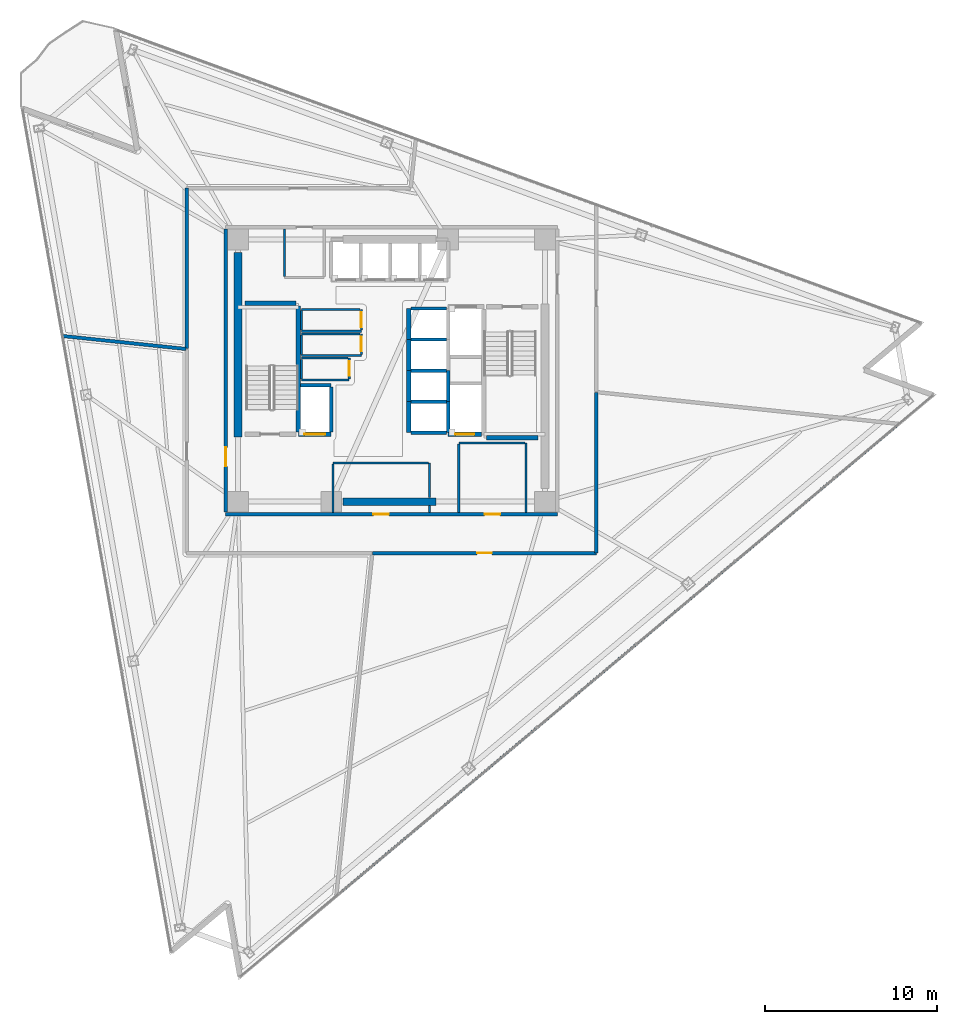
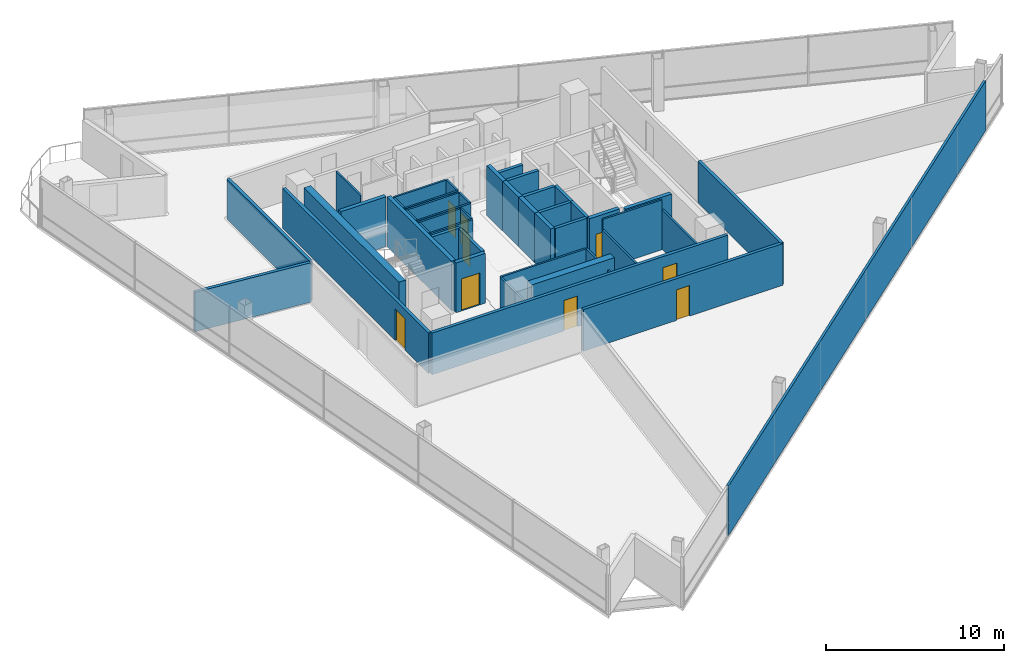
# One storey, part 10 of 17: 47 walls, 9 doors, 9 openings.
"""IFC4 building model written with IfcOpenShell, lengths in metres."""

from ifc_helpers import new_model, si_unit, direction, frame, frame_2d, origin, place, context, subcontext, project, spatial, rectangle, extrude, material, layer, layer_set, type_object, element, fill, save


model = new_model("IFC4")

# Units and contexts
model_context = context("Model", 3, precision=1e-05, world=origin(), true_north=direction((0.0, 1.0)))
body_context = subcontext(model_context, "Body", "Model", "MODEL_VIEW")
ifc_project = project(units=[si_unit("LENGTHUNIT", "METRE"), si_unit("AREAUNIT", "SQUARE_METRE"), si_unit("VOLUMEUNIT", "CUBIC_METRE"), si_unit("PLANEANGLEUNIT", "RADIAN"), si_unit("MASSUNIT", "GRAM", prefix="KILO")], contexts=[model_context])

# Site, building, storey
site_placement = place(None, origin())
site = spatial("IfcSite", under=ifc_project, at=site_placement, CompositionType="ELEMENT")
building_placement = place(site_placement, origin())
building = spatial("IfcBuilding", under=site, at=building_placement, Name="Tharavind Bronze Gate", CompositionType="ELEMENT")
storey_placement = place(building_placement, frame((0.0, 0.0, 184.89990234375)))
storey = spatial("IfcBuildingStorey", under=building, at=storey_placement, Name="L47", CompositionType="ELEMENT", Elevation=184.89990234375)

# Wall, openings, doors
ifc_material_1 = material(Name="Aerated Concrete Block", Category="concrete")
ifc_layer_1 = layer(ifc_material_1, 0.199951171875)
ifc_layer_set_1 = layer_set([ifc_layer_1], Name="Aerated Concrete Block")
wall_type_1 = type_object("IfcWallType", Name="FIRE RATED PARTITION 200", PredefinedType="PARTITIONING", material=ifc_layer_set_1)
wall_1_placement = place(storey_placement, frame((-9.6201171875, -8.320068359375, 0.0), z_axis=(0.0, 0.0, 1.0), x_axis=(1.0, 0.0, 0.0)))
wall_1 = element("IfcWall", 1, at=wall_1_placement, inside=storey, type_object=wall_type_1, Name="L47 south core corridor wall", PredefinedType="PARTITIONING", context=body_context, shape_type="SweptSolid", body=[
    extrude(rectangle(XDim=19.240234375, YDim=0.199951171875, at=frame_2d((9.6201171875, 0.0))), origin(), (0.0, 0.0, 1.0), 2.864990234375),
])
opening_1_placement = place(wall_1_placement, frame((8.570068359375, 0.0, 0.0)))
opening_1 = element("IfcOpeningElement", 2, at=opening_1_placement, cuts=wall_1, Name="Opening ID07", PredefinedType="OPENING", context=body_context, shape_type="SweptSolid", body=[
    extrude(rectangle(XDim=0.89990234375, YDim=2.10009765625, at=frame_2d((0.449951171875, 1.050048828125))), frame((0.0, 0.11009765625, 0.0), z_axis=(0.0, -1.0, 0.0), x_axis=(1.0, 0.0, 0.0)), (0.0, 0.0, 1.0), 0.219951171875),
])
opening_2_placement = place(wall_1_placement, frame((15.02001953125, 0.0, 0.0)))
opening_2 = element("IfcOpeningElement", 3, at=opening_2_placement, cuts=wall_1, Name="Opening ID07", PredefinedType="OPENING", context=body_context, shape_type="SweptSolid", body=[
    extrude(rectangle(XDim=0.89990234375, YDim=2.10009765625, at=frame_2d((0.449951171875, 1.050048828125))), frame((0.0, 0.11009765625, 0.0), z_axis=(0.0, -1.0, 0.0), x_axis=(1.0, 0.0, 0.0)), (0.0, 0.0, 1.0), 0.219951171875),
])
ifc_material_2 = material(Name="Galvanised Fire Steel", Category="steel")
door_type_1 = type_object("IfcDoorType", Name="PLANT AND RISER FIRE DOOR 900X2100", OperationType="SINGLE_SWING_LEFT", PredefinedType="DOOR", material=ifc_material_2)
door_1_placement = place(opening_1_placement, origin())
door_1 = element("IfcDoor", 4, at=door_1_placement, inside=storey, type_object=door_type_1, Name="L47 Core BMS Control Room fire door", OperationType="SINGLE_SWING_LEFT", OverallHeight=2.10009765625, OverallWidth=0.89990234375, PredefinedType="DOOR", context=body_context, shape_type="SweptSolid", body=[
    extrude(rectangle(XDim=0.89990234375, YDim=2.10009765625, at=frame_2d((0.449951171875, 1.050048828125))), frame((0.0, 0.02490234375, 0.0), z_axis=(0.0, -1.0, 0.0), x_axis=(1.0, 0.0, 0.0)), (0.0, 0.0, 1.0), 0.050048828125),
])
fill(opening_1, door_1)
door_2_placement = place(opening_2_placement, origin())
door_2 = element("IfcDoor", 5, at=door_2_placement, inside=storey, type_object=door_type_1, Name="L47 Telecom Metering Room fire door", OperationType="SINGLE_SWING_LEFT", OverallHeight=2.10009765625, OverallWidth=0.89990234375, PredefinedType="DOOR", context=body_context, shape_type="SweptSolid", body=[
    extrude(rectangle(XDim=0.89990234375, YDim=2.10009765625, at=frame_2d((0.449951171875, 1.050048828125))), frame((0.0, 0.02490234375, 0.0), z_axis=(0.0, -1.0, 0.0), x_axis=(1.0, 0.0, 0.0)), (0.0, 0.0, 1.0), 0.050048828125),
])
fill(opening_2, door_2)

# Wall, opening, door
wall_2_placement = place(storey_placement, frame((-9.6201171875, 8.199951171875, 0.0), z_axis=(0.0, 0.0, 1.0), x_axis=(0.0, -1.0, 0.0)))
wall_2 = element("IfcWall", 6, at=wall_2_placement, inside=storey, type_object=wall_type_1, Name="L47 west core corridor wall", PredefinedType="PARTITIONING", context=body_context, shape_type="SweptSolid", body=[
    extrude(rectangle(XDim=16.39990234375, YDim=0.199951171875, at=frame_2d((8.199951171875, 0.0))), origin(), (0.0, 0.0, 1.0), 2.76513671875),
])
opening_3_placement = place(wall_2_placement, frame((12.64990234375, 0.0, 0.0)))
opening_3 = element("IfcOpeningElement", 7, at=opening_3_placement, cuts=wall_2, Name="Opening ID01", PredefinedType="OPENING", context=body_context, shape_type="SweptSolid", body=[
    extrude(rectangle(XDim=1.10009765625, YDim=2.14990234375, at=frame_2d((0.550048828125, 1.074951171875))), frame((0.0, 0.11009765625, 0.0), z_axis=(0.0, -1.0, 0.0), x_axis=(1.0, 0.0, 0.0)), (0.0, 0.0, 1.0), 0.219951171875),
])
ifc_material_3 = material(Name="Fire-Rated Steel", Category="steel")
door_type_2 = type_object("IfcDoorType", Name="STAIR CORE FIRE DOOR 1100X2150", OperationType="SINGLE_SWING_LEFT", PredefinedType="DOOR", material=ifc_material_3)
door_3_placement = place(opening_3_placement, frame((1.10009765625, 0.0, 0.0), z_axis=(0.0, 0.0, 1.0), x_axis=(-1.0, 0.0, 0.0)))
door_3 = element("IfcDoor", 8, at=door_3_placement, inside=storey, type_object=door_type_2, Name="L47 south west stair lobby fire door", OperationType="SINGLE_SWING_LEFT", OverallHeight=2.14990234375, OverallWidth=1.10009765625, PredefinedType="DOOR", context=body_context, shape_type="SweptSolid", body=[
    extrude(rectangle(XDim=1.10009765625, YDim=2.14990234375, at=frame_2d((0.550048828125, 1.074951171875))), frame((0.0, 0.02490234375, 0.0), z_axis=(0.0, -1.0, 0.0), x_axis=(1.0, 0.0, 0.0)), (0.0, 0.0, 1.0), 0.050048828125),
])
fill(opening_3, door_3)

wall_3_placement = place(storey_placement, frame((-1.089599609375, -10.580078125, 0.0), z_axis=(0.0, 0.0, 1.0), x_axis=(1.0, 0.0, 0.0)))
wall_3 = element("IfcWall", 9, at=wall_3_placement, inside=storey, type_object=wall_type_1, Name="L47 Public Restrooms Block partition", PredefinedType="PARTITIONING", context=body_context, shape_type="SweptSolid", body=[
    extrude(rectangle(XDim=12.968994140625, YDim=0.199951171875, at=frame_2d((6.484375, 0.0))), origin(), (0.0, 0.0, 1.0), 2.864990234375),
])
opening_4_placement = place(wall_3_placement, frame((6.05908203125, 0.0, 0.0)))
opening_4 = element("IfcOpeningElement", 10, at=opening_4_placement, cuts=wall_3, Name="Opening ID06", PredefinedType="OPENING", context=body_context, shape_type="SweptSolid", body=[
    extrude(rectangle(XDim=0.85009765625, YDim=2.10009765625, at=frame_2d((0.425048828125, 1.050048828125))), frame((0.0, 0.11009765625, 0.0), z_axis=(0.0, -1.0, 0.0), x_axis=(1.0, 0.0, 0.0)), (0.0, 0.0, 1.0), 0.219951171875),
])
ifc_material_4 = material(Name="Moisture-Resistant Timber", Category="wood")
door_type_3 = type_object("IfcDoorType", Name="BATHROOM PRIVACY DOOR 850X2100", OperationType="SINGLE_SWING_RIGHT", PredefinedType="DOOR", material=ifc_material_4)
door_4_placement = place(opening_4_placement, origin())
door_4 = element("IfcDoor", 11, at=door_4_placement, inside=storey, type_object=door_type_3, Name="L47 Public Restrooms Block door", OperationType="SINGLE_SWING_RIGHT", OverallHeight=2.10009765625, OverallWidth=0.85009765625, PredefinedType="DOOR", context=body_context, shape_type="SweptSolid", body=[
    extrude(rectangle(XDim=0.85009765625, YDim=2.10009765625, at=frame_2d((0.425048828125, 1.050048828125))), frame((0.0, 0.02490234375, 0.0), z_axis=(0.0, -1.0, 0.0), x_axis=(1.0, 0.0, 0.0)), (0.0, 0.0, 1.0), 0.050048828125),
])
fill(opening_4, door_4)

# Walls
wall_4_placement = place(storey_placement, frame((11.8798828125, -10.579345703125, 0.0), z_axis=(0.0, 0.0, 1.0), x_axis=(0.0, 1.0, 0.0)))
element("IfcWall", 12, at=wall_4_placement, inside=storey, type_object=wall_type_1, Name="L47 Public Restrooms Block partition", PredefinedType="PARTITIONING", context=body_context, shape_type="SweptSolid", body=[
    extrude(rectangle(XDim=9.302978515625, YDim=0.199951171875, at=frame_2d((4.6513671875, 0.0))), origin(), (0.0, 0.0, 1.0), 2.864990234375),
])
wall_5_placement = place(storey_placement, frame((-11.8798828125, 10.579345703125, 0.0), z_axis=(0.0, 0.0, 1.0), x_axis=(0.0, -1.0, 0.0)))
element("IfcWall", 13, at=wall_5_placement, inside=storey, type_object=wall_type_1, Name="L47 Broadcast Editorial Studio partition", PredefinedType="PARTITIONING", context=body_context, shape_type="SweptSolid", body=[
    extrude(rectangle(XDim=9.302978515625, YDim=0.199951171875, at=frame_2d((4.6513671875, 0.0))), origin(), (0.0, 0.0, 1.0), 2.76513671875),
])
wall_6_placement = place(storey_placement, frame((-11.90771484375, 1.25146484375, 0.0), z_axis=(0.0, 0.0, 1.0), x_axis=(-0.994521455336, 0.104532649807, 0.0)))
element("IfcWall", 14, at=wall_6_placement, inside=storey, type_object=wall_type_1, Name="L47 Broadcast Editorial Studio partition", PredefinedType="PARTITIONING", context=body_context, shape_type="SweptSolid", body=[
    extrude(rectangle(XDim=7.18408203125, YDim=0.199951171875, at=frame_2d((3.592041015625, 0.0))), origin(), (0.0, 0.0, 1.0), 2.715087890625),
])
ifc_material_5 = material(Name="Metal Stud Gypsum Partition", Category="gypsum")
ifc_layer_2 = layer(ifc_material_5, 0.1201171875)
ifc_layer_set_2 = layer_set([ifc_layer_2], Name="Metal Stud Gypsum Partition")
wall_type_2 = type_object("IfcWallType", Name="INTERIOR PARTITION WALL 120", PredefinedType="PARTITIONING", material=ifc_layer_set_2)
wall_7_placement = place(storey_placement, frame((-5.219970703125, 2.280029296875, 0.0), z_axis=(0.0, 0.0, 1.0), x_axis=(1.0, 0.0, 0.0)))
element("IfcWall", 15, at=wall_7_placement, inside=storey, type_object=wall_type_2, Name="L47 Housekeeping Linen Store partition 1", PredefinedType="PARTITIONING", context=body_context, shape_type="SweptSolid", body=[
    extrude(rectangle(XDim=3.469970703125, YDim=0.1201171875, at=frame_2d((1.73486328125, 0.0))), origin(), (0.0, 0.0, 1.0), 3.420166015625),
])

# Wall, opening, door
wall_8_placement = place(storey_placement, frame((-1.75, 2.344970703125, 0.0), z_axis=(0.0, 0.0, 1.0), x_axis=(0.0, 1.0, 0.0)))
wall_8 = element("IfcWall", 16, at=wall_8_placement, inside=storey, type_object=wall_type_2, Name="L47 Housekeeping Linen Store partition 2", PredefinedType="PARTITIONING", context=body_context, shape_type="SweptSolid", body=[
    extrude(rectangle(XDim=1.205078125, YDim=0.1201171875, at=frame_2d((0.6025390625, 0.0))), origin(), (0.0, 0.0, 1.0), 3.420166015625),
])
opening_5_placement = place(wall_8_placement, frame((0.177001953125, 0.0, 0.0)))
opening_5 = element("IfcOpeningElement", 17, at=opening_5_placement, cuts=wall_8, Name="Opening ID06", PredefinedType="OPENING", context=body_context, shape_type="SweptSolid", body=[
    extrude(rectangle(XDim=0.85009765625, YDim=2.10009765625, at=frame_2d((0.425048828125, 1.050048828125))), frame((0.0, 0.07005859375, 0.0), z_axis=(0.0, -1.0, 0.0), x_axis=(1.0, 0.0, 0.0)), (0.0, 0.0, 1.0), 0.1401171875),
])
door_5_placement = place(opening_5_placement, frame((0.85009765625, 0.0, 0.0), z_axis=(0.0, 0.0, 1.0), x_axis=(-1.0, 0.0, 0.0)))
door_5 = element("IfcDoor", 18, at=door_5_placement, inside=storey, type_object=door_type_3, Name="L47 Housekeeping Linen Store door", OperationType="SINGLE_SWING_RIGHT", OverallHeight=2.10009765625, OverallWidth=0.85009765625, PredefinedType="DOOR", context=body_context, shape_type="SweptSolid", body=[
    extrude(rectangle(XDim=0.85009765625, YDim=2.10009765625, at=frame_2d((0.425048828125, 1.050048828125))), frame((0.0, 0.02490234375, 0.0), z_axis=(0.0, -1.0, 0.0), x_axis=(1.0, 0.0, 0.0)), (0.0, 0.0, 1.0), 0.050048828125),
])
fill(opening_5, door_5)

# Walls
wall_9_placement = place(storey_placement, frame((-1.81494140625, 3.550048828125, 0.0), z_axis=(0.0, 0.0, 1.0), x_axis=(-1.0, 0.0, 0.0)))
element("IfcWall", 19, at=wall_9_placement, inside=storey, type_object=wall_type_2, Name="L47 Housekeeping Linen Store partition 3", PredefinedType="PARTITIONING", context=body_context, shape_type="SweptSolid", body=[
    extrude(rectangle(XDim=3.405029296875, YDim=0.1201171875, at=frame_2d((1.70263671875, 0.0))), origin(), (0.0, 0.0, 1.0), 3.420166015625),
])
wall_10_placement = place(storey_placement, frame((-5.219970703125, 3.485107421875, 0.0), z_axis=(0.0, 0.0, 1.0), x_axis=(0.0, -1.0, 0.0)))
element("IfcWall", 20, at=wall_10_placement, inside=storey, type_object=wall_type_2, Name="L47 Housekeeping Linen Store partition 4", PredefinedType="PARTITIONING", context=body_context, shape_type="SweptSolid", body=[
    extrude(rectangle(XDim=1.14013671875, YDim=0.1201171875, at=frame_2d((0.570068359375, 0.0))), origin(), (0.0, 0.0, 1.0), 3.420166015625),
])
wall_11_placement = place(storey_placement, frame((-5.219970703125, 0.8798828125, 0.0), z_axis=(0.0, 0.0, 1.0), x_axis=(1.0, 0.0, 0.0)))
element("IfcWall", 21, at=wall_11_placement, inside=storey, type_object=wall_type_2, Name="L47 Comms Data Room partition 1", PredefinedType="PARTITIONING", context=body_context, shape_type="SweptSolid", body=[
    extrude(rectangle(XDim=3.469970703125, YDim=0.1201171875, at=frame_2d((1.73486328125, 0.0))), origin(), (0.0, 0.0, 1.0), 3.420166015625),
])

# Wall, opening, door
wall_12_placement = place(storey_placement, frame((-1.75, 0.945068359375, 0.0), z_axis=(0.0, 0.0, 1.0), x_axis=(0.0, 1.0, 0.0)))
wall_12 = element("IfcWall", 22, at=wall_12_placement, inside=storey, type_object=wall_type_2, Name="L47 Comms Data Room partition 2", PredefinedType="PARTITIONING", context=body_context, shape_type="SweptSolid", body=[
    extrude(rectangle(XDim=1.175048828125, YDim=0.1201171875, at=frame_2d((0.58740234375, 0.0))), origin(), (0.0, 0.0, 1.0), 3.420166015625),
])
opening_6_placement = place(wall_12_placement, frame((0.1630859375, 0.0, 0.0)))
opening_6 = element("IfcOpeningElement", 23, at=opening_6_placement, cuts=wall_12, Name="Opening ID06", PredefinedType="OPENING", context=body_context, shape_type="SweptSolid", body=[
    extrude(rectangle(XDim=0.85009765625, YDim=2.10009765625, at=frame_2d((0.425048828125, 1.050048828125))), frame((0.0, 0.07005859375, 0.0), z_axis=(0.0, -1.0, 0.0), x_axis=(1.0, 0.0, 0.0)), (0.0, 0.0, 1.0), 0.1401171875),
])
door_6_placement = place(opening_6_placement, frame((0.85009765625, 0.0, 0.0), z_axis=(0.0, 0.0, 1.0), x_axis=(-1.0, 0.0, 0.0)))
door_6 = element("IfcDoor", 24, at=door_6_placement, inside=storey, type_object=door_type_3, Name="L47 Comms Data Room door", OperationType="SINGLE_SWING_RIGHT", OverallHeight=2.10009765625, OverallWidth=0.85009765625, PredefinedType="DOOR", context=body_context, shape_type="SweptSolid", body=[
    extrude(rectangle(XDim=0.85009765625, YDim=2.10009765625, at=frame_2d((0.425048828125, 1.050048828125))), frame((0.0, 0.02490234375, 0.0), z_axis=(0.0, -1.0, 0.0), x_axis=(1.0, 0.0, 0.0)), (0.0, 0.0, 1.0), 0.050048828125),
])
fill(opening_6, door_6)

# Walls
wall_13_placement = place(storey_placement, frame((-1.81494140625, 2.1201171875, 0.0), z_axis=(0.0, 0.0, 1.0), x_axis=(-1.0, 0.0, 0.0)))
element("IfcWall", 25, at=wall_13_placement, inside=storey, type_object=wall_type_2, Name="L47 Comms Data Room partition 3", PredefinedType="PARTITIONING", context=body_context, shape_type="SweptSolid", body=[
    extrude(rectangle(XDim=3.405029296875, YDim=0.1201171875, at=frame_2d((1.70263671875, 0.0))), origin(), (0.0, 0.0, 1.0), 3.420166015625),
])
wall_14_placement = place(storey_placement, frame((-5.219970703125, 2.054931640625, 0.0), z_axis=(0.0, 0.0, 1.0), x_axis=(0.0, -1.0, 0.0)))
element("IfcWall", 26, at=wall_14_placement, inside=storey, type_object=wall_type_2, Name="L47 Comms Data Room partition 4", PredefinedType="PARTITIONING", context=body_context, shape_type="SweptSolid", body=[
    extrude(rectangle(XDim=1.10986328125, YDim=0.1201171875, at=frame_2d((0.554931640625, 0.0))), origin(), (0.0, 0.0, 1.0), 3.420166015625),
])
wall_15_placement = place(storey_placement, frame((-5.219970703125, -0.550048828125, 0.0), z_axis=(0.0, 0.0, 1.0), x_axis=(1.0, 0.0, 0.0)))
element("IfcWall", 27, at=wall_15_placement, inside=storey, type_object=wall_type_2, Name="L47 Electrical Metering Store partition 1", PredefinedType="PARTITIONING", context=body_context, shape_type="SweptSolid", body=[
    extrude(rectangle(XDim=2.77001953125, YDim=0.1201171875, at=frame_2d((1.385009765625, 0.0))), origin(), (0.0, 0.0, 1.0), 3.420166015625),
])

# Wall, opening, door
wall_16_placement = place(storey_placement, frame((-2.449951171875, -0.485107421875, 0.0), z_axis=(0.0, 0.0, 1.0), x_axis=(0.0, 1.0, 0.0)))
wall_16 = element("IfcWall", 28, at=wall_16_placement, inside=storey, type_object=wall_type_2, Name="L47 Electrical Metering Store partition 2", PredefinedType="PARTITIONING", context=body_context, shape_type="SweptSolid", body=[
    extrude(rectangle(XDim=1.205078125, YDim=0.1201171875, at=frame_2d((0.6025390625, 0.0))), origin(), (0.0, 0.0, 1.0), 3.420166015625),
])
opening_7_placement = place(wall_16_placement, frame((0.177978515625, 0.0, 0.0)))
opening_7 = element("IfcOpeningElement", 29, at=opening_7_placement, cuts=wall_16, Name="Opening ID06", PredefinedType="OPENING", context=body_context, shape_type="SweptSolid", body=[
    extrude(rectangle(XDim=0.85009765625, YDim=2.10009765625, at=frame_2d((0.425048828125, 1.050048828125))), frame((0.0, 0.07005859375, 0.0), z_axis=(0.0, -1.0, 0.0), x_axis=(1.0, 0.0, 0.0)), (0.0, 0.0, 1.0), 0.1401171875),
])
door_7_placement = place(opening_7_placement, frame((0.85009765625, 0.0, 0.0), z_axis=(0.0, 0.0, 1.0), x_axis=(-1.0, 0.0, 0.0)))
door_7 = element("IfcDoor", 30, at=door_7_placement, inside=storey, type_object=door_type_3, Name="L47 Electrical Metering Store door", OperationType="SINGLE_SWING_RIGHT", OverallHeight=2.10009765625, OverallWidth=0.85009765625, PredefinedType="DOOR", context=body_context, shape_type="SweptSolid", body=[
    extrude(rectangle(XDim=0.85009765625, YDim=2.10009765625, at=frame_2d((0.425048828125, 1.050048828125))), frame((0.0, 0.02490234375, 0.0), z_axis=(0.0, -1.0, 0.0), x_axis=(1.0, 0.0, 0.0)), (0.0, 0.0, 1.0), 0.050048828125),
])
fill(opening_7, door_7)

# Walls
wall_17_placement = place(storey_placement, frame((-2.514892578125, 0.719970703125, 0.0), z_axis=(0.0, 0.0, 1.0), x_axis=(-1.0, 0.0, 0.0)))
element("IfcWall", 31, at=wall_17_placement, inside=storey, type_object=wall_type_2, Name="L47 Electrical Metering Store partition 3", PredefinedType="PARTITIONING", context=body_context, shape_type="SweptSolid", body=[
    extrude(rectangle(XDim=2.705078125, YDim=0.1201171875, at=frame_2d((1.3525390625, 0.0))), origin(), (0.0, 0.0, 1.0), 3.420166015625),
])
wall_18_placement = place(storey_placement, frame((-5.219970703125, 0.655029296875, 0.0), z_axis=(0.0, 0.0, 1.0), x_axis=(0.0, -1.0, 0.0)))
element("IfcWall", 32, at=wall_18_placement, inside=storey, type_object=wall_type_2, Name="L47 Electrical Metering Store partition 4", PredefinedType="PARTITIONING", context=body_context, shape_type="SweptSolid", body=[
    extrude(rectangle(XDim=1.14013671875, YDim=0.1201171875, at=frame_2d((0.570068359375, 0.0))), origin(), (0.0, 0.0, 1.0), 3.420166015625),
])
wall_19_placement = place(storey_placement, frame((2.199951171875, -8.215087890625, 0.0), z_axis=(0.0, 0.0, 1.0), x_axis=(0.0, 1.0, 0.0)))
element("IfcWall", 33, at=wall_19_placement, inside=storey, type_object=wall_type_2, Name="L47 Core BMS Control Room partition 2", PredefinedType="PARTITIONING", context=body_context, shape_type="SweptSolid", body=[
    extrude(rectangle(XDim=0.385009765625, YDim=0.1201171875, at=frame_2d((0.1923828125, 0.0))), origin(), (0.0, 0.0, 1.0), 2.715087890625),
])
wall_20_placement = place(storey_placement, frame((2.199951171875, -7.3701171875, 0.0), z_axis=(0.0, 0.0, 1.0), x_axis=(0.0, 1.0, 0.0)))
element("IfcWall", 34, at=wall_20_placement, inside=storey, type_object=wall_type_2, Name="L47 Core BMS Control Room partition 2", PredefinedType="PARTITIONING", context=body_context, shape_type="SweptSolid", body=[
    extrude(rectangle(XDim=2.02001953125, YDim=0.1201171875, at=frame_2d((1.010009765625, 0.0))), origin(), (0.0, 0.0, 1.0), 2.715087890625),
])
wall_21_placement = place(storey_placement, frame((2.135009765625, -5.35009765625, 0.0), z_axis=(0.0, 0.0, 1.0), x_axis=(-1.0, 0.0, 0.0)))
element("IfcWall", 35, at=wall_21_placement, inside=storey, type_object=wall_type_2, Name="L47 Core BMS Control Room partition 3", PredefinedType="PARTITIONING", context=body_context, shape_type="SweptSolid", body=[
    extrude(rectangle(XDim=5.534912109375, YDim=0.1201171875, at=frame_2d((2.767578125, 0.0))), origin(), (0.0, 0.0, 1.0), 2.715087890625),
])
wall_22_placement = place(storey_placement, frame((-3.39990234375, -5.4150390625, 0.0), z_axis=(0.0, 0.0, 1.0), x_axis=(0.0, -1.0, 0.0)))
element("IfcWall", 36, at=wall_22_placement, inside=storey, type_object=wall_type_2, Name="L47 Core BMS Control Room partition 4", PredefinedType="PARTITIONING", context=body_context, shape_type="SweptSolid", body=[
    extrude(rectangle(XDim=2.800048828125, YDim=0.1201171875, at=frame_2d((1.39990234375, 0.0))), origin(), (0.0, 0.0, 1.0), 2.715087890625),
])
wall_23_placement = place(storey_placement, frame((-6.199951171875, 8.215087890625, 0.0), z_axis=(0.0, 0.0, 1.0), x_axis=(0.0, -1.0, 0.0)))
element("IfcWall", 37, at=wall_23_placement, inside=storey, type_object=wall_type_2, Name="L47 Electrical Switch Cupboard partition 4", PredefinedType="PARTITIONING", context=body_context, shape_type="SweptSolid", body=[
    extrude(rectangle(XDim=2.75, YDim=0.1201171875, at=frame_2d((1.375, 0.0))), origin(), (0.0, 0.0, 1.0), 2.715087890625),
])
wall_24_placement = place(storey_placement, frame((7.800048828125, -8.215087890625, 0.0), z_axis=(0.0, 0.0, 1.0), x_axis=(0.0, 1.0, 0.0)))
element("IfcWall", 38, at=wall_24_placement, inside=storey, type_object=wall_type_2, Name="L47 Telecom Metering Room partition 2", PredefinedType="PARTITIONING", context=body_context, shape_type="SweptSolid", body=[
    extrude(rectangle(XDim=4.01513671875, YDim=0.1201171875, at=frame_2d((2.007568359375, 0.0))), origin(), (0.0, 0.0, 1.0), 2.715087890625),
])
wall_25_placement = place(storey_placement, frame((7.735107421875, -4.199951171875, 0.0), z_axis=(0.0, 0.0, 1.0), x_axis=(-1.0, 0.0, 0.0)))
element("IfcWall", 39, at=wall_25_placement, inside=storey, type_object=wall_type_2, Name="L47 Telecom Metering Room partition 3", PredefinedType="PARTITIONING", context=body_context, shape_type="SweptSolid", body=[
    extrude(rectangle(XDim=3.835205078125, YDim=0.1201171875, at=frame_2d((1.91748046875, 0.0))), origin(), (0.0, 0.0, 1.0), 3.420166015625),
])
wall_26_placement = place(storey_placement, frame((3.89990234375, -4.264892578125, 0.0), z_axis=(0.0, 0.0, 1.0), x_axis=(0.0, -1.0, 0.0)))
element("IfcWall", 40, at=wall_26_placement, inside=storey, type_object=wall_type_2, Name="L47 Telecom Metering Room partition 4", PredefinedType="PARTITIONING", context=body_context, shape_type="SweptSolid", body=[
    extrude(rectangle(XDim=3.9501953125, YDim=0.1201171875, at=frame_2d((1.97509765625, 0.0))), origin(), (0.0, 0.0, 1.0), 2.715087890625),
])
ifc_material_6 = material(Name="Twin Stud Acoustic Gypsum", Category="gypsum")
ifc_layer_3 = layer(ifc_material_6, 0.14990234375)
ifc_layer_set_3 = layer_set([ifc_layer_3], Name="Twin Stud Acoustic Gypsum")
wall_type_3 = type_object("IfcWallType", Name="INTERIOR PARTITION WALL 150", PredefinedType="PARTITIONING", material=ifc_layer_set_3)
wall_27_placement = place(storey_placement, frame((29.304443359375, -3.185546875, 0.0), z_axis=(0.0, 0.0, 1.0), x_axis=(-0.766042132119, -0.642790363819, 0.0)))
element("IfcWall", 41, at=wall_27_placement, inside=storey, type_object=wall_type_3, Name="L47 Public Restrooms Block partition", PredefinedType="PARTITIONING", context=body_context, shape_type="SweptSolid", body=[
    extrude(rectangle(XDim=42.28271484375, YDim=0.14990234375, at=frame_2d((21.141357421875, 0.0))), origin(), (0.0, 0.0, 1.0), 3.420166015625),
])
ifc_material_7 = material(Name="Concrete C50/60", Category="concrete")
ifc_layer_4 = layer(ifc_material_7, 0.25)
ifc_layer_set_4 = layer_set([ifc_layer_4], Name="Concrete C50/60")
wall_type_4 = type_object("IfcWallType", Name="RC CORE SHEAR WALL 250", PredefinedType="SHEAR", material=ifc_layer_set_4)
wall_28_placement = place(storey_placement, frame((-5.39990234375, -3.550048828125, 0.0), z_axis=(0.0, 0.0, 1.0), x_axis=(0.0, 1.0, 0.0)))
element("IfcWall", 42, at=wall_28_placement, inside=storey, type_object=wall_type_4, Name="L47 ST1 shaft east wall", PredefinedType="SHEAR", context=body_context, shape_type="SweptSolid", body=[
    extrude(rectangle(XDim=7.300048828125, YDim=0.25, at=frame_2d((3.64990234375, 0.0))), origin(), (0.0, 0.0, 1.0), 3.420166015625),
])
wall_29_placement = place(storey_placement, frame((-8.5, 3.89990234375, 0.0), z_axis=(0.0, 0.0, 1.0), x_axis=(1.0, 0.0, 0.0)))
element("IfcWall", 43, at=wall_29_placement, inside=storey, type_object=wall_type_4, Name="L47 ST1 shaft north wall", PredefinedType="SHEAR", context=body_context, shape_type="SweptSolid", body=[
    extrude(rectangle(XDim=2.949951171875, YDim=0.25, at=frame_2d((1.47509765625, 0.0))), origin(), (0.0, 0.0, 1.0), 3.420166015625),
])
wall_30_placement = place(storey_placement, frame((5.5, -3.89990234375, 0.0), z_axis=(0.0, 0.0, 1.0), x_axis=(1.0, 0.0, 0.0)))
element("IfcWall", 44, at=wall_30_placement, inside=storey, type_object=wall_type_4, Name="L47 ST2 shaft south wall", PredefinedType="SHEAR", context=body_context, shape_type="SweptSolid", body=[
    extrude(rectangle(XDim=3.0, YDim=0.25, at=frame_2d((1.5, 0.0))), origin(), (0.0, 0.0, 1.0), 3.420166015625),
])
for number, where, z_axis, x_axis, name in (
    (45, (1.0, -3.60009765625, 0.0), (0.0, 0.0, 1.0), (0.0, 1.0, 0.0), "L47 lift PL9 shaft front wall"),
    (46, (1.0, -1.800048828125, 0.0), (0.0, 0.0, 1.0), (0.0, 1.0, 0.0), "L47 lift PL10 shaft front wall"),
    (47, (1.0, 0.0, 0.0), (0.0, 0.0, 1.0), (0.0, 1.0, 0.0), "L47 lift PL11 shaft front wall"),
    (48, (1.0, 1.800048828125, 0.0), (0.0, 0.0, 1.0), (0.0, 1.0, 0.0), "L47 lift PL12 shaft front wall"),
):
    element("IfcWall", number, at=place(storey_placement, frame(where, z_axis=z_axis, x_axis=x_axis)), inside=storey, type_object=wall_type_4, Name=name, PredefinedType="SHEAR", context=body_context, shape_type="SweptSolid", body=[
        extrude(rectangle(XDim=1.800048828125, YDim=0.25, at=frame_2d((0.89990234375, 0.0))), origin(), (0.0, 0.0, 1.0), 3.420166015625),
    ])

# Wall, opening, door
wall_31_placement = place(storey_placement, frame((-5.39990234375, -3.699951171875, 0.0), z_axis=(0.0, 0.0, 1.0), x_axis=(1.0, 0.0, 0.0)))
wall_31 = element("IfcWall", 49, at=wall_31_placement, inside=storey, type_object=wall_type_4, Name="L47 lift FFL1 shaft front wall", PredefinedType="SHEAR", context=body_context, shape_type="SweptSolid", body=[
    extrude(rectangle(XDim=1.89990234375, YDim=0.25, at=frame_2d((0.949951171875, 0.0))), origin(), (0.0, 0.0, 1.0), 3.420166015625),
])
opening_8_placement = place(wall_31_placement, frame((0.35009765625, 0.0, 0.0)))
opening_8 = element("IfcOpeningElement", 50, at=opening_8_placement, cuts=wall_31, Name="Opening LD02", PredefinedType="OPENING", context=body_context, shape_type="SweptSolid", body=[
    extrude(rectangle(XDim=1.199951171875, YDim=2.199951171875, at=frame_2d((0.60009765625, 1.10009765625))), frame((0.0, 0.135, 0.0), z_axis=(0.0, -1.0, 0.0), x_axis=(1.0, 0.0, 0.0)), (0.0, 0.0, 1.0), 0.27),
])
ifc_material_8 = material(Name="Brushed Stainless Steel", Category="steel")
door_type_4 = type_object("IfcDoorType", Name="FIREFIGHTING LIFT LANDING DOOR 1200X2200", OperationType="SLIDING_TO_RIGHT", PredefinedType="DOOR", material=ifc_material_8)
door_8_placement = place(opening_8_placement, origin())
door_8 = element("IfcDoor", 51, at=door_8_placement, inside=storey, type_object=door_type_4, Name="L47 lift FFL1 sliding landing door", OperationType="SLIDING_TO_RIGHT", OverallHeight=2.199951171875, OverallWidth=1.199951171875, PredefinedType="DOOR", context=body_context, shape_type="SweptSolid", body=[
    extrude(rectangle(XDim=1.199951171875, YDim=2.199951171875, at=frame_2d((0.60009765625, 1.10009765625))), frame((0.0, 0.02490234375, 0.0), z_axis=(0.0, -1.0, 0.0), x_axis=(1.0, 0.0, 0.0)), (0.0, 0.0, 1.0), 0.050048828125),
])
fill(opening_8, door_8)

wall_32_placement = place(storey_placement, frame((3.280029296875, -3.699951171875, 0.0), z_axis=(0.0, 0.0, 1.0), x_axis=(1.0, 0.0, 0.0)))
wall_32 = element("IfcWall", 52, at=wall_32_placement, inside=storey, type_object=wall_type_4, Name="L47 lift SVL1 shaft front wall", PredefinedType="SHEAR", context=body_context, shape_type="SweptSolid", body=[
    extrude(rectangle(XDim=1.93994140625, YDim=0.25, at=frame_2d((0.969970703125, 0.0))), origin(), (0.0, 0.0, 1.0), 3.420166015625),
])
opening_9_placement = place(wall_32_placement, frame((0.419921875, 0.0, 0.0)))
opening_9 = element("IfcOpeningElement", 53, at=opening_9_placement, cuts=wall_32, Name="Opening LD01", PredefinedType="OPENING", context=body_context, shape_type="SweptSolid", body=[
    extrude(rectangle(XDim=1.10009765625, YDim=2.199951171875, at=frame_2d((0.550048828125, 1.10009765625))), frame((0.0, 0.135, 0.0), z_axis=(0.0, -1.0, 0.0), x_axis=(1.0, 0.0, 0.0)), (0.0, 0.0, 1.0), 0.27),
])
ifc_material_9 = material(Name="Brushed Bronze Stainless Steel", Category="steel")
door_type_5 = type_object("IfcDoorType", Name="LIFT LANDING SLIDING DOOR 1100X2200", OperationType="SLIDING_TO_LEFT", PredefinedType="DOOR", material=ifc_material_9)
door_9_placement = place(opening_9_placement, origin())
door_9 = element("IfcDoor", 54, at=door_9_placement, inside=storey, type_object=door_type_5, Name="L47 lift SVL1 sliding landing door", OperationType="SLIDING_TO_LEFT", OverallHeight=2.199951171875, OverallWidth=1.10009765625, PredefinedType="DOOR", context=body_context, shape_type="SweptSolid", body=[
    extrude(rectangle(XDim=1.10009765625, YDim=2.199951171875, at=frame_2d((0.550048828125, 1.10009765625))), frame((0.0, 0.02490234375, 0.0), z_axis=(0.0, -1.0, 0.0), x_axis=(1.0, 0.0, 0.0)), (0.0, 0.0, 1.0), 0.050048828125),
])
fill(opening_9, door_9)

# Walls
ifc_material_10 = material(Name="Concrete C60/75", Category="concrete")
ifc_layer_5 = layer(ifc_material_10, 0.449951171875)
ifc_layer_set_5 = layer_set([ifc_layer_5], Name="Concrete C60/75")
wall_type_5 = type_object("IfcWallType", Name="RC CORE SHEAR WALL 450", PredefinedType="SHEAR", material=ifc_layer_set_5)
wall_33_placement = place(storey_placement, frame((-2.800048828125, -7.60009765625, 0.0), z_axis=(0.0, 0.0, 1.0), x_axis=(1.0, 0.0, 0.0)))
element("IfcWall", 55, at=wall_33_placement, inside=storey, type_object=wall_type_5, Name="L47 south core shear wall", PredefinedType="SHEAR", context=body_context, shape_type="SweptSolid", body=[
    extrude(rectangle(XDim=5.380126953125, YDim=0.449951171875, at=frame_2d((2.68994140625, 0.0))), origin(), (0.0, 0.0, 1.0), 3.420166015625),
])
wall_34_placement = place(storey_placement, frame((-8.89990234375, -3.85009765625, 0.0), z_axis=(0.0, 0.0, 1.0), x_axis=(0.0, 1.0, 0.0)))
element("IfcWall", 56, at=wall_34_placement, inside=storey, type_object=wall_type_5, Name="L47 west core shear wall", PredefinedType="SHEAR", context=body_context, shape_type="SweptSolid", body=[
    extrude(rectangle(XDim=10.7001953125, YDim=0.449951171875, at=frame_2d((5.35009765625, 0.0))), origin(), (0.0, 0.0, 1.0), 3.420166015625),
])
ifc_material_11 = material(Name="Concrete C40/50", Category="concrete")
ifc_layer_6 = layer(ifc_material_11, 0.199951171875)
ifc_layer_set_6 = layer_set([ifc_layer_6], Name="Concrete C40/50")
wall_type_6 = type_object("IfcWallType", Name="SHAFT ENCLOSURE WALL 200", PredefinedType="PARTITIONING", material=ifc_layer_set_6)
wall_35_placement = place(storey_placement, frame((3.280029296875, -3.60009765625, 0.0), z_axis=(0.0, 0.0, 1.0), x_axis=(0.0, 1.0, 0.0)))
element("IfcWall", 57, at=wall_35_placement, inside=storey, type_object=wall_type_6, Name="L47 lift PL9 shaft E enclosure wall", PredefinedType="PARTITIONING", context=body_context, shape_type="SweptSolid", body=[
    extrude(rectangle(XDim=1.800048828125, YDim=0.199951171875, at=frame_2d((0.89990234375, 0.0))), origin(), (0.0, 0.0, 1.0), 3.420166015625),
])
for number, where, z_axis, x_axis, name in (
    (58, (1.1298828125, -3.60009765625, 0.0), (0.0, 0.0, 1.0), (1.0, 0.0, 0.0), "L47 lift PL9 shaft S enclosure wall"),
    (59, (1.1298828125, -1.800048828125, 0.0), (0.0, 0.0, 1.0), (1.0, 0.0, 0.0), "L47 lift PL9 shaft N enclosure wall"),
):
    element("IfcWall", number, at=place(storey_placement, frame(where, z_axis=z_axis, x_axis=x_axis)), inside=storey, type_object=wall_type_6, Name=name, PredefinedType="PARTITIONING", context=body_context, shape_type="SweptSolid", body=[
        extrude(rectangle(XDim=2.045166015625, YDim=0.199951171875, at=frame_2d((1.0224609375, 0.0))), origin(), (0.0, 0.0, 1.0), 3.420166015625),
    ])
wall_36_placement = place(storey_placement, frame((3.280029296875, -1.800048828125, 0.0), z_axis=(0.0, 0.0, 1.0), x_axis=(0.0, 1.0, 0.0)))
element("IfcWall", 60, at=wall_36_placement, inside=storey, type_object=wall_type_6, Name="L47 lift PL10 shaft E enclosure wall", PredefinedType="PARTITIONING", context=body_context, shape_type="SweptSolid", body=[
    extrude(rectangle(XDim=1.800048828125, YDim=0.199951171875, at=frame_2d((0.89990234375, 0.0))), origin(), (0.0, 0.0, 1.0), 3.420166015625),
])
for number, where, z_axis, x_axis, name in (
    (61, (1.1298828125, 0.0, 0.0), (0.0, 0.0, 1.0), (1.0, 0.0, 0.0), "L47 lift PL10 shaft N enclosure wall"),
    (62, (1.1298828125, 1.800048828125, 0.0), (0.0, 0.0, 1.0), (1.0, 0.0, 0.0), "L47 lift PL11 shaft N enclosure wall"),
):
    element("IfcWall", number, at=place(storey_placement, frame(where, z_axis=z_axis, x_axis=x_axis)), inside=storey, type_object=wall_type_6, Name=name, PredefinedType="PARTITIONING", context=body_context, shape_type="SweptSolid", body=[
        extrude(rectangle(XDim=2.045166015625, YDim=0.199951171875, at=frame_2d((1.0224609375, 0.0))), origin(), (0.0, 0.0, 1.0), 3.420166015625),
    ])
wall_37_placement = place(storey_placement, frame((1.1298828125, 3.60009765625, 0.0), z_axis=(0.0, 0.0, 1.0), x_axis=(1.0, 0.0, 0.0)))
element("IfcWall", 63, at=wall_37_placement, inside=storey, type_object=wall_type_6, Name="L47 lift PL12 shaft N enclosure wall", PredefinedType="PARTITIONING", context=body_context, shape_type="SweptSolid", body=[
    extrude(rectangle(XDim=2.045166015625, YDim=0.199951171875, at=frame_2d((1.0224609375, 0.0))), origin(), (0.0, 0.0, 1.0), 2.715087890625),
])
wall_38_placement = place(storey_placement, frame((-5.27001953125, -0.85009765625, 0.0), z_axis=(0.0, 0.0, 1.0), x_axis=(1.0, 0.0, 0.0)))
element("IfcWall", 64, at=wall_38_placement, inside=storey, type_object=wall_type_6, Name="L47 lift FFL1 shaft N enclosure wall", PredefinedType="PARTITIONING", context=body_context, shape_type="SweptSolid", body=[
    extrude(rectangle(XDim=1.77001953125, YDim=0.199951171875, at=frame_2d((0.885009765625, 0.0))), origin(), (0.0, 0.0, 1.0), 3.420166015625),
])
wall_39_placement = place(storey_placement, frame((-3.5, -3.570068359375, 0.0), z_axis=(0.0, 0.0, 1.0), x_axis=(0.0, 1.0, 0.0)))
element("IfcWall", 65, at=wall_39_placement, inside=storey, type_object=wall_type_6, Name="L47 lift FFL1 shaft E enclosure wall", PredefinedType="PARTITIONING", context=body_context, shape_type="SweptSolid", body=[
    extrude(rectangle(XDim=2.614990234375, YDim=0.199951171875, at=frame_2d((1.3076171875, 0.0))), origin(), (0.0, 0.0, 1.0), 3.420166015625),
])

save(model, "model.ifc")
